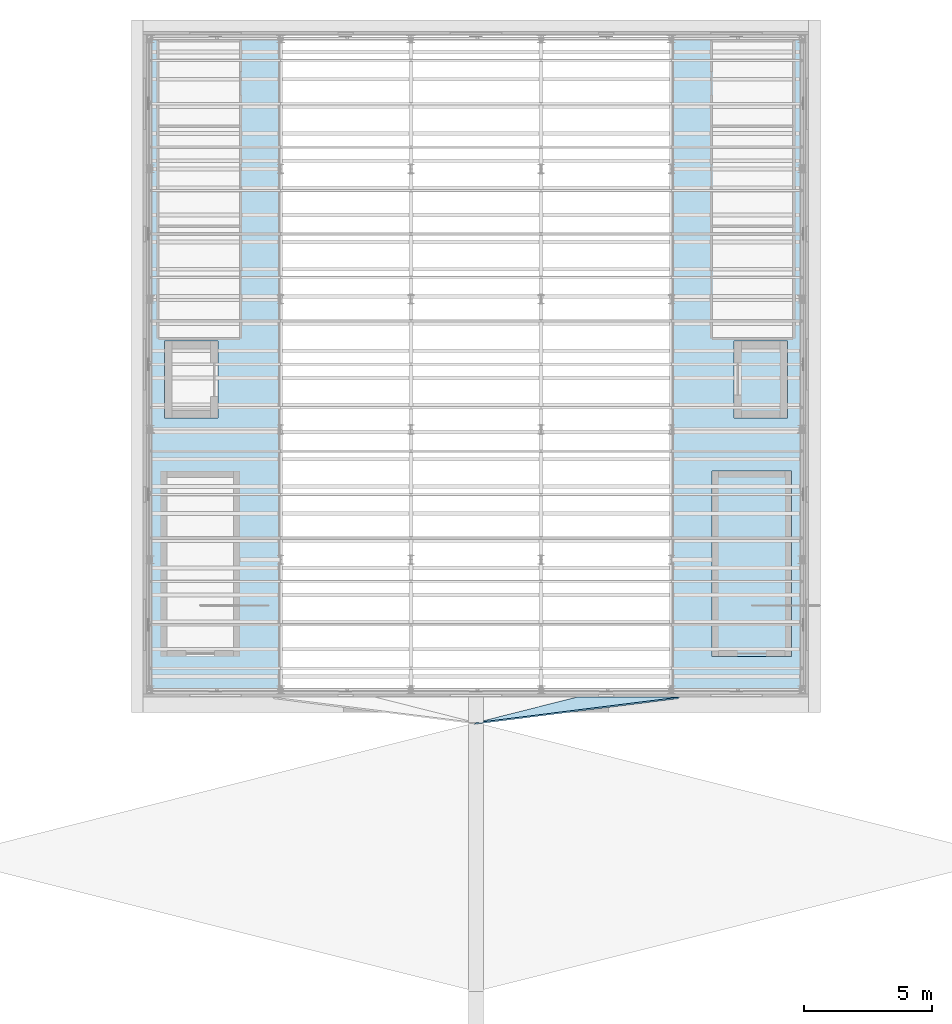
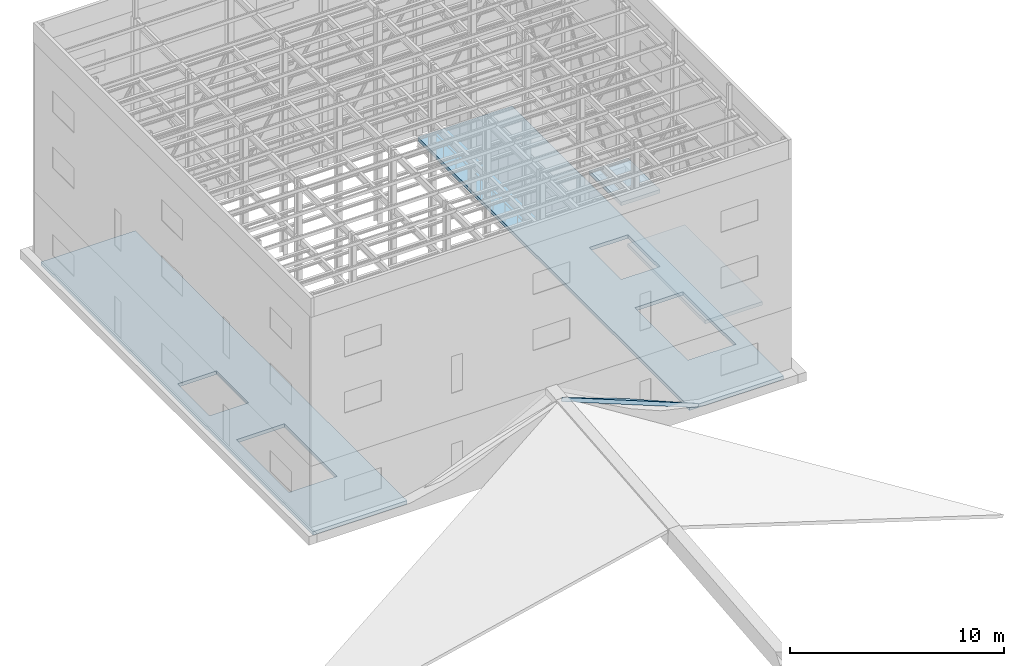
# One storey, part 6 of 22: 5 slabs.
"""IFC4 building model written with IfcOpenShell, lengths in metres."""

from ifc_helpers import new_model, si_unit, direction, frame, origin, place, context, subcontext, project, spatial, polyline, outline, extrude, material, layer, layer_set, type_object, element, save


model = new_model("IFC4")

# Units and contexts
model_context = context("Model", 3, precision=1e-05, world=origin(), true_north=direction((0.0, 1.0)))
body_context = subcontext(model_context, "Body", "Model", "MODEL_VIEW")
ifc_project = project(units=[si_unit("LENGTHUNIT", "METRE"), si_unit("AREAUNIT", "SQUARE_METRE"), si_unit("VOLUMEUNIT", "CUBIC_METRE"), si_unit("PLANEANGLEUNIT", "RADIAN"), si_unit("MASSUNIT", "GRAM", prefix="KILO")], contexts=[model_context])

# Site, building, storey
site_placement = place(None, origin())
site = spatial("IfcSite", under=ifc_project, at=site_placement, CompositionType="ELEMENT")
building_placement = place(site_placement, origin())
building = spatial("IfcBuilding", under=site, at=building_placement, Name="Tide Square Theatres", CompositionType="ELEMENT")
storey_placement = place(building_placement, frame((0.0, 0.0, 24.0)))
storey = spatial("IfcBuildingStorey", under=building, at=storey_placement, Name="L05", CompositionType="ELEMENT", Elevation=24.0)

# Slabs
ifc_material_1 = material(Name="Concrete C35", Category="concrete")
ifc_layer_1 = layer(ifc_material_1, 0.199951171875)
ifc_layer_set_1 = layer_set([ifc_layer_1], Name="Concrete C35")
slab_type_1 = type_object("IfcSlabType", Name="RC floor slab 200", PredefinedType="FLOOR", material=ifc_layer_set_1)
slab_1_placement = place(storey_placement, frame((0.0, 0.0, -0.199951171875)))
element("IfcSlab", 1, at=slab_1_placement, inside=storey, type_object=slab_type_1, Name="Fly gallery floor", PredefinedType="FLOOR", context=body_context, shape_type="SweptSolid", body=[
    extrude(outline(polyline([(76.365478515625, 56.27587890625), (76.365478515625, 81.72412109375), (71.27587890625, 81.72412109375), (71.27587890625, 56.27587890625), (76.365478515625, 56.27587890625)]), holes=[polyline([(71.926025390625, 59.631103515625), (74.52587890625, 59.631103515625), (74.52587890625, 64.575927734375), (71.926025390625, 64.575927734375), (71.926025390625, 59.631103515625)]), polyline([(71.825927734375, 66.89990234375), (73.926025390625, 66.89990234375), (73.926025390625, 69.89990234375), (71.825927734375, 69.89990234375), (71.825927734375, 66.89990234375)])]), origin(), (0.0, 0.0, 1.0), 0.199951171875),
])
slab_2_placement = place(storey_placement, frame((0.0, 0.0, -0.199951171875)))
element("IfcSlab", 2, at=slab_2_placement, inside=storey, type_object=slab_type_1, Name="Fly gallery floor", PredefinedType="FLOOR", context=body_context, shape_type="SweptSolid", body=[
    extrude(outline(polyline([(96.72412109375, 56.27587890625), (96.72412109375, 81.72412109375), (91.634521484375, 81.72412109375), (91.634521484375, 56.27587890625), (96.72412109375, 56.27587890625)]), holes=[polyline([(93.47412109375, 59.631103515625), (96.073974609375, 59.631103515625), (96.073974609375, 64.575927734375), (93.47412109375, 64.575927734375), (93.47412109375, 59.631103515625)]), polyline([(94.073974609375, 66.89990234375), (96.174072265625, 66.89990234375), (96.174072265625, 69.89990234375), (94.073974609375, 69.89990234375), (94.073974609375, 66.89990234375)])]), origin(), (0.0, 0.0, 1.0), 0.199951171875),
])
ifc_material_2 = material(Name="Concrete C40", Category="concrete")
ifc_layer_2 = layer(ifc_material_2, 0.199951171875)
ifc_layer_set_2 = layer_set([ifc_layer_2], Name="Concrete C40")
slab_type_2 = type_object("IfcSlabType", Name="RC roof slab 200", PredefinedType="ROOF", material=ifc_layer_set_2)
slab_3_placement = place(storey_placement, frame((91.96630859375, 56.0, 0.252685546875), z_axis=(0.368924117666, 0.324645219047, 0.870919328729), x_axis=(-0.920793302325, 0.0, 0.390050886928)))
element("IfcSlab", 3, at=slab_3_placement, inside=storey, type_object=slab_type_2, Name="Roof plate main-P017", PredefinedType="ROOF", context=body_context, shape_type="SweptSolid", body=[
    extrude(outline(polyline([(0.0, 0.0), (4.360784172990127, 0.0), (8.796966923418932, 1.05726589358018), (0.0, 0.0)])), origin(), (0.0, 0.0, -1.0), 0.199951171875),
])
slab_4_placement = place(storey_placement, frame((0.0, 0.0, 3.39990234375)))
element("IfcSlab", 4, at=slab_4_placement, inside=storey, type_object=slab_type_2, Name="Fly Tower stair 12 head cover", PredefinedType="ROOF", context=body_context, shape_type="SweptSolid", body=[
    extrude(outline(polyline([(96.323974609375, 57.575927734375), (96.323974609375, 64.825927734375), (93.22412109375, 64.825927734375), (93.22412109375, 57.575927734375), (96.323974609375, 57.575927734375)])), origin(), (0.0, 0.0, 1.0), 0.2001953125),
])
slab_5_placement = place(storey_placement, frame((0.0, 0.0, 4.199951171875)))
element("IfcSlab", 5, at=slab_5_placement, inside=storey, type_object=slab_type_2, Name="Fly Tower lift 12 overrun cover", PredefinedType="ROOF", context=body_context, shape_type="SweptSolid", body=[
    extrude(outline(polyline([(94.073974609375, 66.89990234375), (96.174072265625, 66.89990234375), (96.174072265625, 69.89990234375), (94.073974609375, 69.89990234375), (94.073974609375, 66.89990234375)])), origin(), (0.0, 0.0, 1.0), 0.199951171875),
])

save(model, "model.ifc")
